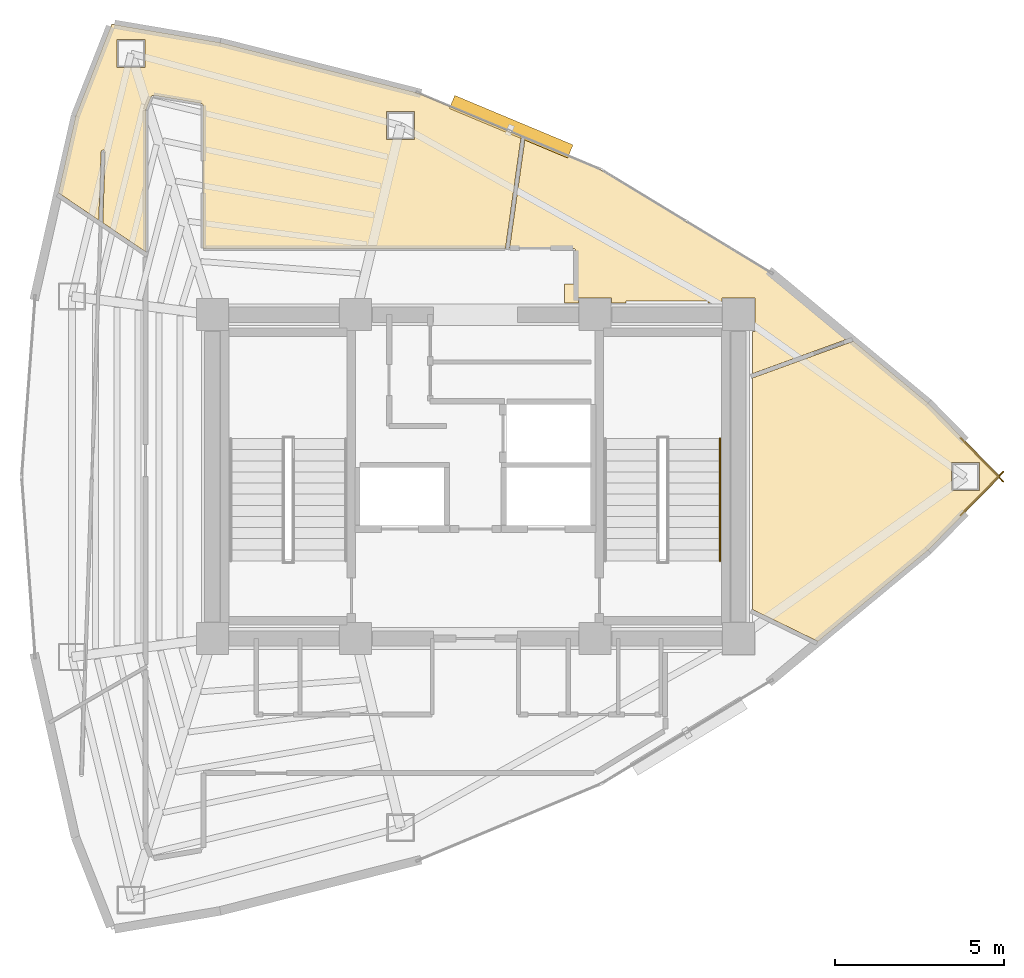
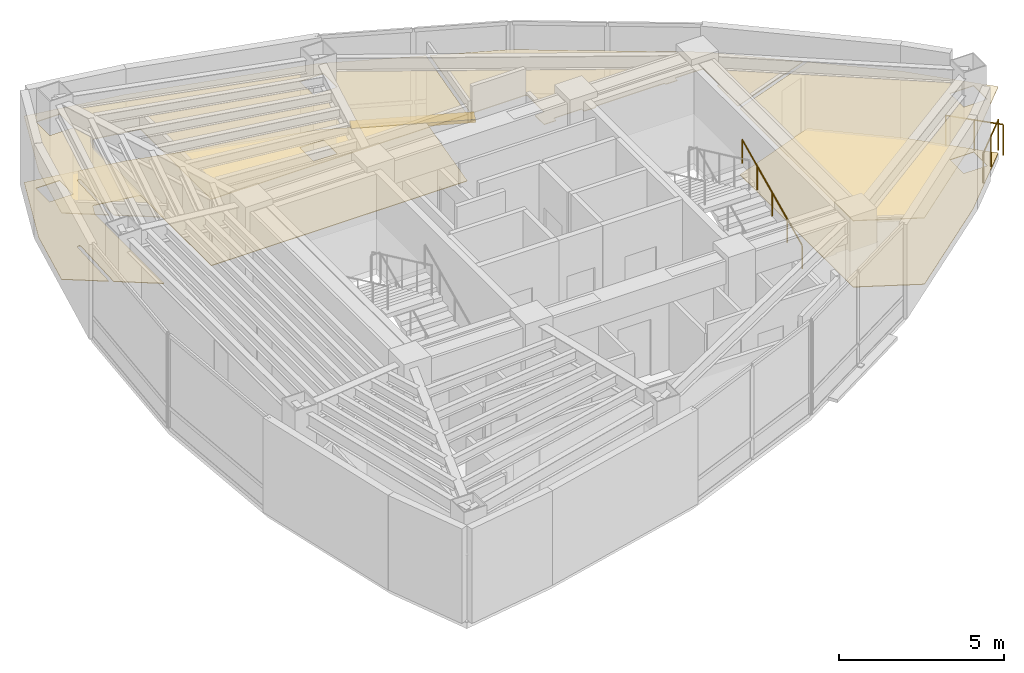
# One storey, part 15 of 16: 5 coverings, 3 railings, 1 shading device.
"""IFC4 building model written with IfcOpenShell, lengths in metres."""

from ifc_helpers import new_model, si_unit, direction, frame, origin, origin_2d, place, context, subcontext, project, spatial, polyline, rectangle, circle, outline, extrude, material, layer, layer_set, type_object, element, save


model = new_model("IFC4")

# Units and contexts
model_context = context("Model", 3, precision=1e-05, world=origin(), true_north=direction((0.0, 1.0)))
body_context = subcontext(model_context, "Body", "Model", "MODEL_VIEW")
ifc_project = project(units=[si_unit("LENGTHUNIT", "METRE"), si_unit("AREAUNIT", "SQUARE_METRE"), si_unit("VOLUMEUNIT", "CUBIC_METRE"), si_unit("PLANEANGLEUNIT", "RADIAN"), si_unit("MASSUNIT", "GRAM", prefix="KILO")], contexts=[model_context])

# Site, building, storey
site_placement = place(None, origin())
site = spatial("IfcSite", under=ifc_project, at=site_placement, CompositionType="ELEMENT")
building_placement = place(site_placement, origin())
building = spatial("IfcBuilding", under=site, at=building_placement, Name="Menara Vayukalpa", CompositionType="ELEMENT")
storey_placement = place(building_placement, frame((0.0, 0.0, 280.6201171875)))
storey = spatial("IfcBuildingStorey", under=building, at=storey_placement, Name="L71", CompositionType="ELEMENT", Elevation=280.6201171875)

# Coverings
ifc_material_1 = material(Name="Mineral Fibre Acoustic Ceiling Tile", Category="masonry")
ifc_layer_1 = layer(ifc_material_1, 0.02490234375)
ifc_layer_set_1 = layer_set([ifc_layer_1], Name="Mineral Fibre Acoustic Ceiling Tile")
covering_type_1 = type_object("IfcCoveringType", Name="COV-CLG1", PredefinedType="CEILING", material=ifc_layer_set_1)
covering_1_placement = place(storey_placement, frame((0.0, 0.0, 2.449951171875)))
element("IfcCovering", 1, at=covering_1_placement, inside=storey, type_object=covering_type_1, Name="L71 Client Conference Room Acoustic Ceiling", PredefinedType="CEILING", context=body_context, shape_type="SweptSolid", body=[
    extrude(outline(polyline([(41.15087890625, 22.007080078125), (41.151611328125, 22.00634765625), (41.15234375, 22.005615234375), (41.152587890625, 22.004638671875), (41.1533203125, 22.00390625), (41.153564453125, 22.0029296875), (41.15380859375, 22.001953125), (41.15380859375, 22.0009765625), (41.15380859375, 22.0), (41.15380859375, 21.9990234375), (41.15380859375, 21.998046875), (41.153564453125, 21.9970703125), (41.1533203125, 21.99609375), (41.152587890625, 21.995361328125), (41.15234375, 21.994384765625), (41.151611328125, 21.99365234375), (41.15087890625, 21.992919921875), (39.021240234375, 19.82373046875), (39.0205078125, 19.822998046875), (35.759033203125, 17.118408203125), (35.75830078125, 17.117919921875), (35.757568359375, 17.1171875), (35.756591796875, 17.116943359375), (35.755859375, 17.11669921875), (35.7548828125, 17.1162109375), (35.75390625, 17.1162109375), (35.7529296875, 17.1162109375), (35.751953125, 17.1162109375), (35.7509765625, 17.1162109375), (35.75, 17.116455078125), (35.749267578125, 17.11669921875), (35.748291015625, 17.1171875), (33.815673828125, 18.059814453125), (33.814697265625, 18.060302734375), (33.81396484375, 18.060791015625), (33.81298828125, 18.061279296875), (33.8125, 18.062255859375), (33.811767578125, 18.06298828125), (33.811279296875, 18.063720703125), (33.810791015625, 18.064697265625), (33.810546875, 18.065673828125), (33.810302734375, 18.066650390625), (33.81005859375, 18.067626953125), (33.81005859375, 18.068603515625), (33.81005859375, 24.917236328125), (33.81005859375, 24.918212890625), (33.810302734375, 24.919189453125), (33.810546875, 24.92041015625), (33.810791015625, 24.92138671875), (33.811279296875, 24.922119140625), (33.811767578125, 24.923095703125), (33.8125, 24.923828125), (33.81298828125, 24.924560546875), (33.81396484375, 24.92529296875), (33.814697265625, 24.92578125), (33.815673828125, 24.92626953125), (33.816650390625, 24.9267578125), (36.79345703125, 26.01025390625), (36.798828125, 26.012451171875), (36.7998046875, 26.0126953125), (36.80078125, 26.012939453125), (36.8017578125, 26.01318359375), (36.802490234375, 26.01318359375), (36.8037109375, 26.01318359375), (36.8046875, 26.012939453125), (36.805419921875, 26.0126953125), (36.806396484375, 26.012451171875), (36.807373046875, 26.011962890625), (36.80810546875, 26.011474609375), (36.80908203125, 26.010986328125), (39.0205078125, 24.177001953125), (39.021240234375, 24.17626953125), (41.15087890625, 22.007080078125)]), holes=[polyline([(40.536865234375, 22.4150390625), (39.706787109375, 22.4150390625), (39.706787109375, 21.5849609375), (40.536865234375, 21.5849609375), (40.536865234375, 22.4150390625)])]), origin(), (0.0, 0.0, 1.0), 0.02490234375),
])
covering_2_placement = place(storey_placement, frame((0.0, 0.0, 2.449951171875)))
element("IfcCovering", 2, at=covering_2_placement, inside=storey, type_object=covering_type_1, Name="L71 Client Conference Room Acoustic Ceiling", PredefinedType="CEILING", context=body_context, shape_type="SweptSolid", body=[
    extrude(outline(polyline([(28.570068359375, 28.69970703125), (28.569580078125, 28.706787109375), (28.568603515625, 28.713623046875), (28.56689453125, 28.72021484375), (28.564697265625, 28.726806640625), (28.561767578125, 28.73291015625), (28.55810546875, 28.73876953125), (28.553955078125, 28.744384765625), (28.549560546875, 28.74951171875), (28.54443359375, 28.75390625), (28.538818359375, 28.75830078125), (28.532958984375, 28.76171875), (28.52685546875, 28.7646484375), (28.520263671875, 28.76708984375), (28.513671875, 28.768798828125), (28.5068359375, 28.76953125), (28.499755859375, 28.77001953125), (26.62353515625, 28.77001953125), (26.62255859375, 28.77001953125), (26.62158203125, 28.770263671875), (26.62060546875, 28.7705078125), (26.61962890625, 28.770751953125), (26.618896484375, 28.771240234375), (26.617919921875, 28.771728515625), (26.6171875, 28.7724609375), (26.616455078125, 28.773193359375), (26.61572265625, 28.773681640625), (26.615234375, 28.774658203125), (26.61474609375, 28.775390625), (26.6142578125, 28.7763671875), (26.614013671875, 28.77734375), (26.61376953125, 28.7783203125), (26.613525390625, 28.779296875), (26.613525390625, 28.780517578125), (26.61376953125, 28.781494140625), (27.06982421875, 32.02685546875), (27.070068359375, 32.027587890625), (27.0703125, 32.02880859375), (27.070556640625, 32.029541015625), (27.071044921875, 32.030517578125), (27.071533203125, 32.03125), (27.072265625, 32.031982421875), (27.07275390625, 32.03271484375), (27.073486328125, 32.033203125), (27.07421875, 32.03369140625), (27.0751953125, 32.0341796875), (27.076171875, 32.03466796875), (27.076904296875, 32.034912109375), (27.077880859375, 32.03515625), (27.078857421875, 32.035400390625), (27.079833984375, 32.035400390625), (27.080810546875, 32.035400390625), (27.081787109375, 32.03515625), (27.082763671875, 32.034912109375), (27.08349609375, 32.03466796875), (29.32568359375, 31.0966796875), (29.326416015625, 31.09619140625), (29.3271484375, 31.095947265625), (34.37353515625, 28.030517578125), (34.374755859375, 28.02978515625), (36.684326171875, 26.1142578125), (36.68505859375, 26.113525390625), (36.685791015625, 26.11279296875), (36.686279296875, 26.112060546875), (36.68701171875, 26.111083984375), (36.687255859375, 26.1103515625), (36.6875, 26.109375), (36.687744140625, 26.1083984375), (36.68798828125, 26.107421875), (36.68798828125, 26.1064453125), (36.68798828125, 26.10546875), (36.687744140625, 26.1044921875), (36.6875, 26.103515625), (36.68701171875, 26.1025390625), (36.686767578125, 26.1015625), (36.68603515625, 26.100830078125), (36.685546875, 26.10009765625), (36.684814453125, 26.099365234375), (36.68408203125, 26.0986328125), (36.68310546875, 26.09814453125), (36.682373046875, 26.09765625), (36.681396484375, 26.09716796875), (33.823486328125, 25.056884765625), (33.822509765625, 25.056640625), (33.821533203125, 25.056396484375), (33.820556640625, 25.056396484375), (33.819580078125, 25.056396484375), (33.818603515625, 25.056396484375), (33.81787109375, 25.056640625), (33.81689453125, 25.056884765625), (33.81591796875, 25.05712890625), (33.815185546875, 25.0576171875), (33.814208984375, 25.05810546875), (33.8134765625, 25.05859375), (33.812744140625, 25.059326171875), (33.812255859375, 25.06005859375), (33.8115234375, 25.060791015625), (33.81103515625, 25.061767578125), (33.810791015625, 25.0625), (33.810302734375, 25.0634765625), (33.810302734375, 25.064453125), (33.81005859375, 25.065185546875), (33.81005859375, 25.06640625), (33.81005859375, 26.31005859375), (33.889892578125, 26.31005859375), (33.889892578125, 27.2900390625), (32.909912109375, 27.2900390625), (32.909912109375, 27.14990234375), (32.489990234375, 27.14990234375), (32.489990234375, 27.2099609375), (30.06005859375, 27.2099609375), (30.06005859375, 27.14990234375), (29.639892578125, 27.14990234375), (29.639892578125, 27.2900390625), (28.659912109375, 27.2900390625), (28.659912109375, 27.14990234375), (28.239990234375, 27.14990234375), (28.239990234375, 27.7099609375), (28.570068359375, 27.7099609375), (28.570068359375, 28.69970703125)])), origin(), (0.0, 0.0, 1.0), 0.02490234375),
])
covering_3_placement = place(storey_placement, frame((0.0, 0.0, 2.449951171875)))
element("IfcCovering", 3, at=covering_3_placement, inside=storey, type_object=covering_type_1, Name="L71 Client Conference Room Acoustic Ceiling", PredefinedType="CEILING", context=body_context, shape_type="SweptSolid", body=[
    extrude(outline(polyline([(13.751953125, 32.691162109375), (14.8173828125, 35.404541015625), (14.81787109375, 35.4052734375), (14.818359375, 35.40625), (14.81884765625, 35.406982421875), (14.819580078125, 35.40771484375), (14.8203125, 35.408447265625), (14.821044921875, 35.408935546875), (14.822021484375, 35.409423828125), (14.82275390625, 35.409912109375), (14.82373046875, 35.410400390625), (14.82470703125, 35.41064453125), (14.82568359375, 35.41064453125), (14.826416015625, 35.410888671875), (14.827392578125, 35.410888671875), (14.82861328125, 35.41064453125), (18.027587890625, 34.867431640625), (18.028564453125, 34.8671875), (23.877197265625, 33.375732421875), (23.878662109375, 33.375244140625), (26.949951171875, 32.09033203125), (26.950927734375, 32.090087890625), (26.95166015625, 32.089599609375), (26.952392578125, 32.0888671875), (26.953369140625, 32.088134765625), (26.953857421875, 32.08740234375), (26.95458984375, 32.086669921875), (26.955078125, 32.085693359375), (26.955322265625, 32.084716796875), (26.955810546875, 32.083740234375), (26.9560546875, 32.082763671875), (26.9560546875, 32.081787109375), (26.9560546875, 32.080810546875), (26.9560546875, 32.079833984375), (26.4921875, 28.778564453125), (26.491943359375, 28.777587890625), (26.49169921875, 28.77685546875), (26.4912109375, 28.77587890625), (26.490966796875, 28.77490234375), (26.490478515625, 28.774169921875), (26.48974609375, 28.7734375), (26.489013671875, 28.772705078125), (26.48828125, 28.772216796875), (26.487548828125, 28.771484375), (26.48681640625, 28.77099609375), (26.48583984375, 28.770751953125), (26.485107421875, 28.7705078125), (26.484130859375, 28.770263671875), (26.483154296875, 28.77001953125), (26.482177734375, 28.77001953125), (17.5400390625, 28.77001953125), (17.5390625, 28.77001953125), (17.5380859375, 28.770263671875), (17.537109375, 28.7705078125), (17.5361328125, 28.770751953125), (17.535400390625, 28.771240234375), (17.534423828125, 28.771728515625), (17.53369140625, 28.772216796875), (17.532958984375, 28.77294921875), (17.5322265625, 28.773681640625), (17.53173828125, 28.7744140625), (17.53125, 28.775390625), (17.53076171875, 28.776123046875), (17.530517578125, 28.777099609375), (17.5302734375, 28.778076171875), (17.530029296875, 28.779052734375), (17.530029296875, 28.780029296875), (17.530029296875, 32.995849609375), (17.529541015625, 33.003173828125), (17.528564453125, 33.010009765625), (17.52685546875, 33.016845703125), (17.5244140625, 33.0234375), (17.521484375, 33.02978515625), (17.517822265625, 33.03564453125), (17.513427734375, 33.041259765625), (17.5087890625, 33.04638671875), (17.50341796875, 33.05078125), (17.497802734375, 33.05517578125), (17.49169921875, 33.05859375), (17.485107421875, 33.061279296875), (17.478515625, 33.063720703125), (17.471435546875, 33.065185546875), (16.06201171875, 33.304443359375), (16.054931640625, 33.305419921875), (16.048095703125, 33.305419921875), (16.041259765625, 33.304931640625), (16.034423828125, 33.3037109375), (16.02783203125, 33.302001953125), (16.021484375, 33.299560546875), (16.015625, 33.29638671875), (16.009765625, 33.292724609375), (16.00439453125, 33.28857421875), (15.999267578125, 33.283935546875), (15.994873046875, 33.27880859375), (15.990966796875, 33.273193359375), (15.987548828125, 33.267333984375), (15.984619140625, 33.2607421875), (15.8349609375, 32.87939453125), (15.832763671875, 32.873291015625), (15.831298828125, 32.86669921875), (15.830322265625, 32.8603515625), (15.830078125, 32.853515625), (15.830078125, 28.68115234375), (15.830078125, 28.68017578125), (15.829833984375, 28.67919921875), (15.82958984375, 28.67822265625), (15.8291015625, 28.67724609375), (15.828857421875, 28.676513671875), (15.828369140625, 28.675537109375), (15.82763671875, 28.6748046875), (15.8271484375, 28.674072265625), (15.826416015625, 28.67333984375), (15.825439453125, 28.6728515625), (15.82470703125, 28.67236328125), (15.82373046875, 28.671875), (15.822998046875, 28.67138671875), (15.822021484375, 28.67138671875), (15.821044921875, 28.671142578125), (15.820068359375, 28.671142578125), (15.819091796875, 28.671142578125), (15.818115234375, 28.67138671875), (15.817138671875, 28.67138671875), (15.816162109375, 28.671875), (15.815185546875, 28.67236328125), (15.814453125, 28.6728515625), (14.556640625, 29.521240234375), (14.555908203125, 29.521728515625), (14.55517578125, 29.5224609375), (14.554443359375, 29.523193359375), (14.5537109375, 29.524169921875), (14.55322265625, 29.52490234375), (14.552978515625, 29.52587890625), (14.552490234375, 29.52685546875), (14.55224609375, 29.52783203125), (14.55224609375, 29.52880859375), (14.55224609375, 29.52978515625), (14.625244140625, 31.619873046875), (14.625, 31.6259765625), (14.62451171875, 31.6318359375), (14.623291015625, 31.6376953125), (14.621337890625, 31.643310546875), (14.619140625, 31.648681640625), (14.6162109375, 31.65380859375), (14.613037109375, 31.65869140625), (14.609130859375, 31.6630859375), (14.60498046875, 31.667236328125), (14.60009765625, 31.6708984375), (14.59521484375, 31.674072265625), (14.590087890625, 31.6767578125), (14.584716796875, 31.678955078125), (14.5791015625, 31.680419921875), (14.5732421875, 31.681640625), (14.5673828125, 31.68212890625), (14.561279296875, 31.681884765625), (14.5556640625, 31.681396484375), (14.5498046875, 31.68017578125), (14.544189453125, 31.67822265625), (14.538818359375, 31.676025390625), (14.53369140625, 31.673095703125), (14.52880859375, 31.669921875), (14.5244140625, 31.666015625), (14.520263671875, 31.661865234375), (14.5166015625, 31.6572265625), (14.513427734375, 31.65234375), (14.510498046875, 31.64697265625), (14.508544921875, 31.6416015625), (14.5068359375, 31.635986328125), (14.505859375, 31.630126953125), (14.50537109375, 31.6240234375), (14.435302734375, 29.62158203125), (14.435302734375, 29.62060546875), (14.43505859375, 29.619384765625), (14.434814453125, 29.61865234375), (14.434326171875, 29.61767578125), (14.43408203125, 29.61669921875), (14.43359375, 29.615966796875), (14.432861328125, 29.615234375), (14.43212890625, 29.614501953125), (14.431396484375, 29.614013671875), (14.4306640625, 29.61328125), (14.4296875, 29.61279296875), (14.428955078125, 29.612548828125), (14.427978515625, 29.6123046875), (14.427001953125, 29.612060546875), (14.426025390625, 29.61181640625), (14.42529296875, 29.61181640625), (14.42431640625, 29.61181640625), (14.42333984375, 29.612060546875), (14.42236328125, 29.6123046875), (14.42138671875, 29.612548828125), (14.42041015625, 29.613037109375), (14.419677734375, 29.613525390625), (13.244140625, 30.406494140625), (13.243408203125, 30.406982421875), (13.24267578125, 30.40771484375), (13.241943359375, 30.408447265625), (13.241455078125, 30.4091796875), (13.240966796875, 30.41015625), (13.240478515625, 30.410888671875), (13.240234375, 30.412109375), (13.239990234375, 30.412841796875), (13.23974609375, 30.413818359375), (13.23974609375, 30.414794921875), (13.239990234375, 30.416015625), (13.239990234375, 30.4169921875), (13.75146484375, 32.689697265625), (13.751708984375, 32.690185546875), (13.751953125, 32.691162109375)]), holes=[polyline([(15.80419921875, 34.959716796875), (14.97412109375, 34.959716796875), (14.97412109375, 34.129638671875), (15.80419921875, 34.129638671875), (15.80419921875, 34.959716796875)]), polyline([(23.796875, 32.81982421875), (22.966796875, 32.81982421875), (22.966796875, 31.98974609375), (23.796875, 31.98974609375), (23.796875, 32.81982421875)])]), origin(), (0.0, 0.0, 1.0), 0.02490234375),
])
ifc_material_2 = material(Name="Porcelain Stoneware Floor Tile", Category="masonry")
ifc_layer_2 = layer(ifc_material_2, 0.02001953125)
ifc_layer_set_2 = layer_set([ifc_layer_2], Name="Porcelain Stoneware Floor Tile")
covering_type_2 = type_object("IfcCoveringType", Name="COV-FLR1", PredefinedType="FLOORING", material=ifc_layer_set_2)
covering_4_placement = place(storey_placement, origin())
element("IfcCovering", 4, at=covering_4_placement, inside=storey, type_object=covering_type_2, Name="L71 Client Conference Room Porcelain Flooring", PredefinedType="FLOORING", context=body_context, shape_type="SweptSolid", body=[
    extrude(outline(polyline([(41.15087890625, 22.007080078125), (41.151611328125, 22.00634765625), (41.15234375, 22.005615234375), (41.152587890625, 22.004638671875), (41.1533203125, 22.00390625), (41.153564453125, 22.0029296875), (41.15380859375, 22.001953125), (41.15380859375, 22.0009765625), (41.15380859375, 22.0), (41.15380859375, 21.9990234375), (41.15380859375, 21.998046875), (41.153564453125, 21.9970703125), (41.1533203125, 21.99609375), (41.152587890625, 21.995361328125), (41.15234375, 21.994384765625), (41.151611328125, 21.99365234375), (41.15087890625, 21.992919921875), (39.021240234375, 19.82373046875), (39.0205078125, 19.822998046875), (35.759033203125, 17.118408203125), (35.75830078125, 17.117919921875), (35.757568359375, 17.1171875), (35.756591796875, 17.116943359375), (35.755859375, 17.11669921875), (35.7548828125, 17.1162109375), (35.75390625, 17.1162109375), (35.7529296875, 17.1162109375), (35.751953125, 17.1162109375), (35.7509765625, 17.1162109375), (35.75, 17.116455078125), (35.749267578125, 17.11669921875), (35.748291015625, 17.1171875), (33.815673828125, 18.059814453125), (33.814697265625, 18.060302734375), (33.81396484375, 18.060791015625), (33.81298828125, 18.061279296875), (33.8125, 18.062255859375), (33.811767578125, 18.06298828125), (33.811279296875, 18.063720703125), (33.810791015625, 18.064697265625), (33.810546875, 18.065673828125), (33.810302734375, 18.066650390625), (33.81005859375, 18.067626953125), (33.81005859375, 18.068603515625), (33.81005859375, 24.917236328125), (33.81005859375, 24.918212890625), (33.810302734375, 24.919189453125), (33.810546875, 24.92041015625), (33.810791015625, 24.92138671875), (33.811279296875, 24.922119140625), (33.811767578125, 24.923095703125), (33.8125, 24.923828125), (33.81298828125, 24.924560546875), (33.81396484375, 24.92529296875), (33.814697265625, 24.92578125), (33.815673828125, 24.92626953125), (33.816650390625, 24.9267578125), (36.79345703125, 26.01025390625), (36.798828125, 26.012451171875), (36.7998046875, 26.0126953125), (36.80078125, 26.012939453125), (36.8017578125, 26.01318359375), (36.802490234375, 26.01318359375), (36.8037109375, 26.01318359375), (36.8046875, 26.012939453125), (36.805419921875, 26.0126953125), (36.806396484375, 26.012451171875), (36.807373046875, 26.011962890625), (36.80810546875, 26.011474609375), (36.80908203125, 26.010986328125), (39.0205078125, 24.177001953125), (39.021240234375, 24.17626953125), (41.15087890625, 22.007080078125)]), holes=[polyline([(40.536865234375, 22.4150390625), (39.706787109375, 22.4150390625), (39.706787109375, 21.5849609375), (40.536865234375, 21.5849609375), (40.536865234375, 22.4150390625)])]), origin(), (0.0, 0.0, 1.0), 0.019775390625),
])
covering_5_placement = place(storey_placement, origin())
element("IfcCovering", 5, at=covering_5_placement, inside=storey, type_object=covering_type_2, Name="L71 Client Conference Room Porcelain Flooring", PredefinedType="FLOORING", context=body_context, shape_type="SweptSolid", body=[
    extrude(outline(polyline([(13.751953125, 32.691162109375), (14.8173828125, 35.404541015625), (14.81787109375, 35.4052734375), (14.818359375, 35.40625), (14.81884765625, 35.406982421875), (14.819580078125, 35.40771484375), (14.8203125, 35.408447265625), (14.821044921875, 35.408935546875), (14.822021484375, 35.409423828125), (14.82275390625, 35.409912109375), (14.82373046875, 35.410400390625), (14.82470703125, 35.41064453125), (14.82568359375, 35.41064453125), (14.826416015625, 35.410888671875), (14.827392578125, 35.410888671875), (14.82861328125, 35.41064453125), (18.027587890625, 34.867431640625), (18.028564453125, 34.8671875), (23.877197265625, 33.375732421875), (23.878662109375, 33.375244140625), (26.949951171875, 32.09033203125), (26.950927734375, 32.090087890625), (26.95166015625, 32.089599609375), (26.952392578125, 32.0888671875), (26.953369140625, 32.088134765625), (26.953857421875, 32.08740234375), (26.95458984375, 32.086669921875), (26.955078125, 32.085693359375), (26.955322265625, 32.084716796875), (26.955810546875, 32.083740234375), (26.9560546875, 32.082763671875), (26.9560546875, 32.081787109375), (26.9560546875, 32.080810546875), (26.9560546875, 32.079833984375), (26.4921875, 28.778564453125), (26.491943359375, 28.777587890625), (26.49169921875, 28.77685546875), (26.4912109375, 28.77587890625), (26.490966796875, 28.77490234375), (26.490478515625, 28.774169921875), (26.48974609375, 28.7734375), (26.489013671875, 28.772705078125), (26.48828125, 28.772216796875), (26.487548828125, 28.771484375), (26.48681640625, 28.77099609375), (26.48583984375, 28.770751953125), (26.485107421875, 28.7705078125), (26.484130859375, 28.770263671875), (26.483154296875, 28.77001953125), (26.482177734375, 28.77001953125), (17.5400390625, 28.77001953125), (17.5390625, 28.77001953125), (17.5380859375, 28.770263671875), (17.537109375, 28.7705078125), (17.5361328125, 28.770751953125), (17.535400390625, 28.771240234375), (17.534423828125, 28.771728515625), (17.53369140625, 28.772216796875), (17.532958984375, 28.77294921875), (17.5322265625, 28.773681640625), (17.53173828125, 28.7744140625), (17.53125, 28.775390625), (17.53076171875, 28.776123046875), (17.530517578125, 28.777099609375), (17.5302734375, 28.778076171875), (17.530029296875, 28.779052734375), (17.530029296875, 28.780029296875), (17.530029296875, 32.995849609375), (17.529541015625, 33.003173828125), (17.528564453125, 33.010009765625), (17.52685546875, 33.016845703125), (17.5244140625, 33.0234375), (17.521484375, 33.02978515625), (17.517822265625, 33.03564453125), (17.513427734375, 33.041259765625), (17.5087890625, 33.04638671875), (17.50341796875, 33.05078125), (17.497802734375, 33.05517578125), (17.49169921875, 33.05859375), (17.485107421875, 33.061279296875), (17.478515625, 33.063720703125), (17.471435546875, 33.065185546875), (16.06201171875, 33.304443359375), (16.054931640625, 33.305419921875), (16.048095703125, 33.305419921875), (16.041259765625, 33.304931640625), (16.034423828125, 33.3037109375), (16.02783203125, 33.302001953125), (16.021484375, 33.299560546875), (16.015625, 33.29638671875), (16.009765625, 33.292724609375), (16.00439453125, 33.28857421875), (15.999267578125, 33.283935546875), (15.994873046875, 33.27880859375), (15.990966796875, 33.273193359375), (15.987548828125, 33.267333984375), (15.984619140625, 33.2607421875), (15.8349609375, 32.87939453125), (15.832763671875, 32.873291015625), (15.831298828125, 32.86669921875), (15.830322265625, 32.8603515625), (15.830078125, 32.853515625), (15.830078125, 28.68115234375), (15.830078125, 28.68017578125), (15.829833984375, 28.67919921875), (15.82958984375, 28.67822265625), (15.8291015625, 28.67724609375), (15.828857421875, 28.676513671875), (15.828369140625, 28.675537109375), (15.82763671875, 28.6748046875), (15.8271484375, 28.674072265625), (15.826416015625, 28.67333984375), (15.825439453125, 28.6728515625), (15.82470703125, 28.67236328125), (15.82373046875, 28.671875), (15.822998046875, 28.67138671875), (15.822021484375, 28.67138671875), (15.821044921875, 28.671142578125), (15.820068359375, 28.671142578125), (15.819091796875, 28.671142578125), (15.818115234375, 28.67138671875), (15.817138671875, 28.67138671875), (15.816162109375, 28.671875), (15.815185546875, 28.67236328125), (15.814453125, 28.6728515625), (14.556640625, 29.521240234375), (14.555908203125, 29.521728515625), (14.55517578125, 29.5224609375), (14.554443359375, 29.523193359375), (14.5537109375, 29.524169921875), (14.55322265625, 29.52490234375), (14.552978515625, 29.52587890625), (14.552490234375, 29.52685546875), (14.55224609375, 29.52783203125), (14.55224609375, 29.52880859375), (14.55224609375, 29.52978515625), (14.625244140625, 31.619873046875), (14.625, 31.6259765625), (14.62451171875, 31.6318359375), (14.623291015625, 31.6376953125), (14.621337890625, 31.643310546875), (14.619140625, 31.648681640625), (14.6162109375, 31.65380859375), (14.613037109375, 31.65869140625), (14.609130859375, 31.6630859375), (14.60498046875, 31.667236328125), (14.60009765625, 31.6708984375), (14.59521484375, 31.674072265625), (14.590087890625, 31.6767578125), (14.584716796875, 31.678955078125), (14.5791015625, 31.680419921875), (14.5732421875, 31.681640625), (14.5673828125, 31.68212890625), (14.561279296875, 31.681884765625), (14.5556640625, 31.681396484375), (14.5498046875, 31.68017578125), (14.544189453125, 31.67822265625), (14.538818359375, 31.676025390625), (14.53369140625, 31.673095703125), (14.52880859375, 31.669921875), (14.5244140625, 31.666015625), (14.520263671875, 31.661865234375), (14.5166015625, 31.6572265625), (14.513427734375, 31.65234375), (14.510498046875, 31.64697265625), (14.508544921875, 31.6416015625), (14.5068359375, 31.635986328125), (14.505859375, 31.630126953125), (14.50537109375, 31.6240234375), (14.435302734375, 29.62158203125), (14.435302734375, 29.62060546875), (14.43505859375, 29.619384765625), (14.434814453125, 29.61865234375), (14.434326171875, 29.61767578125), (14.43408203125, 29.61669921875), (14.43359375, 29.615966796875), (14.432861328125, 29.615234375), (14.43212890625, 29.614501953125), (14.431396484375, 29.614013671875), (14.4306640625, 29.61328125), (14.4296875, 29.61279296875), (14.428955078125, 29.612548828125), (14.427978515625, 29.6123046875), (14.427001953125, 29.612060546875), (14.426025390625, 29.61181640625), (14.42529296875, 29.61181640625), (14.42431640625, 29.61181640625), (14.42333984375, 29.612060546875), (14.42236328125, 29.6123046875), (14.42138671875, 29.612548828125), (14.42041015625, 29.613037109375), (14.419677734375, 29.613525390625), (13.244140625, 30.406494140625), (13.243408203125, 30.406982421875), (13.24267578125, 30.40771484375), (13.241943359375, 30.408447265625), (13.241455078125, 30.4091796875), (13.240966796875, 30.41015625), (13.240478515625, 30.410888671875), (13.240234375, 30.412109375), (13.239990234375, 30.412841796875), (13.23974609375, 30.413818359375), (13.23974609375, 30.414794921875), (13.239990234375, 30.416015625), (13.239990234375, 30.4169921875), (13.75146484375, 32.689697265625), (13.751708984375, 32.690185546875), (13.751953125, 32.691162109375)]), holes=[polyline([(15.80419921875, 34.959716796875), (14.97412109375, 34.959716796875), (14.97412109375, 34.129638671875), (15.80419921875, 34.129638671875), (15.80419921875, 34.959716796875)]), polyline([(23.796875, 32.81982421875), (22.966796875, 32.81982421875), (22.966796875, 31.98974609375), (23.796875, 31.98974609375), (23.796875, 32.81982421875)])]), origin(), (0.0, 0.0, 1.0), 0.019775390625),
])

# Railings
ifc_material_3 = material(Name="Laminated Glass and Stainless Steel 316 Guardrail", Category="steel")
railing_type_1 = type_object("IfcRailingType", Name="RLG-EXT115", PredefinedType="GUARDRAIL", material=ifc_material_3)
railing_1_placement = place(storey_placement, frame((39.976318359375, 20.853515625, 0.0)))
element("IfcRailing", 6, at=railing_1_placement, inside=storey, type_object=railing_type_1, Name="L71 Column Corner Spandrel Guardrail 01-1", PredefinedType="GUARDRAIL", context=body_context, shape_type="SweptSolid", body=[
    extrude(circle(Radius=0.02392578125, at=origin_2d()), frame((0.0, 0.0, 1.1259765625), z_axis=(0.700555224103, 0.713598190848, 0.0), x_axis=(-0.713598190848, 0.700555224103, 0.0)), (0.0, 0.0, 1.0), 1.815673828125),
    extrude(circle(Radius=0.02099609375, at=origin_2d()), origin(), (0.0, 0.0, 1.0), 1.101806640625),
    extrude(circle(Radius=0.02099609375, at=origin_2d()), frame((0.635986328125, 0.64794921875, 0.0)), (0.0, 0.0, 1.0), 1.101806640625),
    extrude(circle(Radius=0.02099609375, at=origin_2d()), frame((1.27197265625, 1.295654296875, 0.0)), (0.0, 0.0, 1.0), 1.101806640625),
])
railing_2_placement = place(storey_placement, frame((41.248291015625, 21.850830078125, 0.0)))
element("IfcRailing", 7, at=railing_2_placement, inside=storey, type_object=railing_type_1, Name="L71 Column Corner Spandrel Guardrail 02-1", PredefinedType="GUARDRAIL", context=body_context, shape_type="SweptSolid", body=[
    extrude(circle(Radius=0.02392578125, at=origin_2d()), frame((0.0, 0.0, 1.1259765625), z_axis=(-0.700555224103, 0.713598190848, 0.0), x_axis=(-0.713598190848, -0.700555224103, 0.0)), (0.0, 0.0, 1.0), 1.815673828125),
    extrude(circle(Radius=0.02099609375, at=origin_2d()), origin(), (0.0, 0.0, 1.0), 1.101806640625),
    extrude(circle(Radius=0.02099609375, at=origin_2d()), frame((-0.635986328125, 0.64794921875, 0.0)), (0.0, 0.0, 1.0), 1.101806640625),
    extrude(circle(Radius=0.02099609375, at=origin_2d()), frame((-1.27197265625, 1.295654296875, 0.0)), (0.0, 0.0, 1.0), 1.101806640625),
])
ifc_material_4 = material(Name="Stainless Steel 316 Tubular Handrail", Category="steel")
railing_type_2 = type_object("IfcRailingType", Name="RLG-STH090", PredefinedType="HANDRAIL", material=ifc_material_4)
railing_3_placement = place(storey_placement, frame((32.85009765625, 19.5, 0.15478515625)))
element("IfcRailing", 8, at=railing_3_placement, inside=storey, type_object=railing_type_2, Name="L71 ST-2 stair handrail 1", PredefinedType="HANDRAIL", context=body_context, shape_type="SweptSolid", body=[
    extrude(circle(Radius=0.02392578125, at=origin_2d()), frame((0.0, 0.0, 0.8759765625), z_axis=(0.0, 0.90511648382, 0.425163675209), x_axis=(-1.0, 0.0, 0.0)), (0.0, 0.0, 1.0), 4.010498046875),
    extrude(circle(Radius=0.02099609375, at=origin_2d()), origin(), (0.0, 0.0, 1.0), 0.851806640625),
    extrude(circle(Radius=0.02099609375, at=origin_2d()), frame((0.0, 0.907470703125, 0.42626953125)), (0.0, 0.0, 1.0), 0.851806640625),
    extrude(circle(Radius=0.02099609375, at=origin_2d()), frame((0.0, 1.81494140625, 0.8525390625)), (0.0, 0.0, 1.0), 0.851806640625),
    extrude(circle(Radius=0.02099609375, at=origin_2d()), frame((0.0, 2.722412109375, 1.27880859375)), (0.0, 0.0, 1.0), 0.851806640625),
    extrude(circle(Radius=0.02099609375, at=origin_2d()), frame((0.0, 3.6298828125, 1.705078125)), (0.0, 0.0, 1.0), 0.851806640625),
])

# Shading device
ifc_material_5 = material(Name="Glazed Terracotta Ceramic Baguette Extrusion", Category="masonry")
ifc_layer_3 = layer(ifc_material_5, 0.1201171875)
ifc_layer_set_3 = layer_set([ifc_layer_3], Name="Glazed Terracotta Ceramic Baguette Extrusion")
shading_device_type = type_object("IfcShadingDeviceType", Name="SHD-SS1", PredefinedType="USERDEFINED", material=ifc_layer_set_3)
shading_device_placement = place(storey_placement, frame((26.66015625, 32.374267578125, -0.10009765625), z_axis=(0.0, 0.0, 1.0), x_axis=(-0.922538089456, 0.385906042324, 0.0)))
element("IfcShadingDevice", 9, at=shading_device_placement, inside=storey, type_object=shading_device_type, Name="L71 Horizontal Terracotta Sunshade Band 05", ObjectType="SUNSHADE", PredefinedType="USERDEFINED", context=body_context, shape_type="SweptSolid", body=[
    extrude(rectangle(XDim=3.800048828125, YDim=0.419921875, at=origin_2d()), origin(), (0.0, 0.0, 1.0), 0.1201171875),
])

save(model, "model.ifc")
